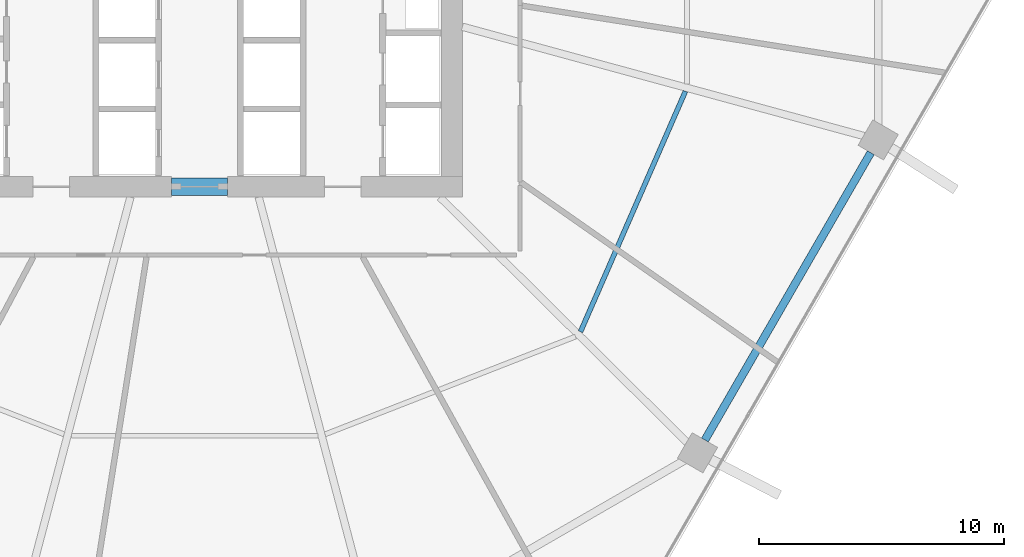
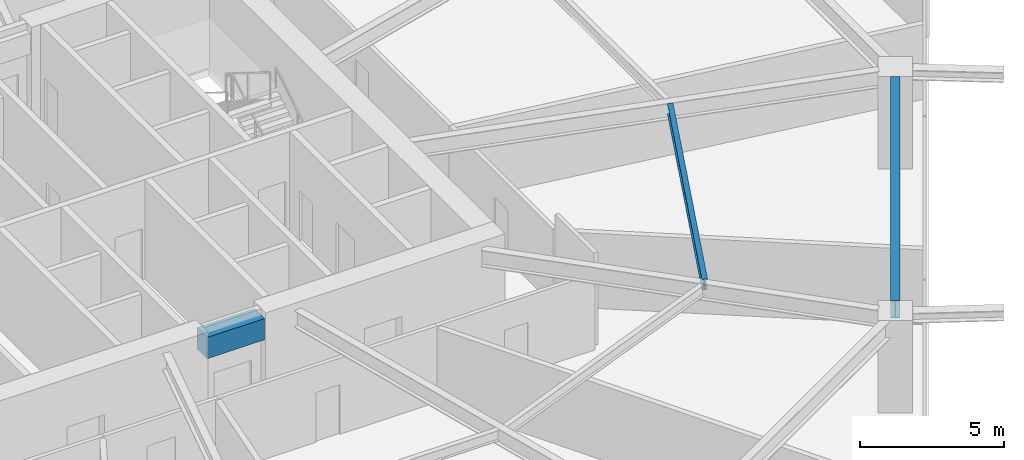
# One storey, part 10 of 26: 3 beams.
"""IFC4 building model written with IfcOpenShell, lengths in metres."""

from ifc_helpers import new_model, si_unit, direction, frame, origin, origin_2d, place, context, subcontext, project, spatial, rectangle, i_section, extrude, material, material_profile, profile_set, type_object, element, save


model = new_model("IFC4")

# Units and contexts
model_context = context("Model", 3, precision=1e-05, world=origin(), true_north=direction((0.0, 1.0)))
body_context = subcontext(model_context, "Body", "Model", "MODEL_VIEW")
ifc_project = project(units=[si_unit("LENGTHUNIT", "METRE"), si_unit("AREAUNIT", "SQUARE_METRE"), si_unit("VOLUMEUNIT", "CUBIC_METRE"), si_unit("PLANEANGLEUNIT", "RADIAN"), si_unit("MASSUNIT", "GRAM", prefix="KILO")], contexts=[model_context])

# Site, building, storey
site_placement = place(None, origin())
site = spatial("IfcSite", under=ifc_project, at=site_placement, CompositionType="ELEMENT")
building_placement = place(site_placement, origin())
building = spatial("IfcBuilding", under=site, at=building_placement, Name="Zuhravey Tower", CompositionType="ELEMENT")
storey_placement = place(building_placement, frame((0.0, 0.0, 28.800048828125)))
storey = spatial("IfcBuildingStorey", under=building, at=storey_placement, Name="L07", CompositionType="ELEMENT", Elevation=28.800048828125)

# Beams
ifc_material_1 = material(Name="Concrete C60/75", Category="concrete")
ifc_material_profile_1 = material_profile(ifc_material_1, rectangle(XDim=0.699951171875, YDim=0.89990234375, at=origin_2d()), Name="RC-700x900")
ifc_profile_set_1 = profile_set([ifc_material_profile_1], Name="Concrete C60/75")
beam_type_1 = type_object("IfcBeamType", Name="Core Coupling Beam RC700x900", PredefinedType="LINTEL", material=ifc_profile_set_1)
beam_1_placement = place(storey_placement, frame((35.052001953125, 22.5, 3.469970703125), z_axis=(1.0, 0.0, 0.0), x_axis=(0.0, 1.0, 0.0)))
element("IfcBeam", 1, at=beam_1_placement, inside=storey, type_object=beam_type_1, Name="L07 CB1 BM-L07-CB-S", PredefinedType="LINTEL", context=body_context, shape_type="SweptSolid", body=[
    extrude(rectangle(XDim=0.699951171875, YDim=0.89990234375, at=origin_2d()), origin(), (0.0, 0.0, 1.0), 2.2958984375),
])
ifc_material_2 = material(Name="Steel SM355", Category="steel")
ifc_material_profile_2 = material_profile(ifc_material_2, i_section(OverallWidth=0.320068359375, OverallDepth=0.75, WebThickness=0.013916015625, FlangeThickness=0.02490234375, at=origin_2d()), Name="H-750x320x14x25")
ifc_profile_set_2 = profile_set([ifc_material_profile_2], Name="Steel SM355")
beam_type_2 = type_object("IfcBeamType", Name="Perimeter Ring Beam H750x320", PredefinedType="BEAM", material=ifc_profile_set_2)
beam_2_placement = place(storey_placement, frame((56.820556640625, 12.165283203125, 3.544921875), z_axis=(0.499999877243, 0.866025474658, 0.0), x_axis=(-0.866025474658, 0.499999877243, 0.0)))
element("IfcBeam", 2, at=beam_2_placement, inside=storey, type_object=beam_type_2, Name="L07 PB1 BM-L07-PB-11", PredefinedType="BEAM", context=body_context, shape_type="SweptSolid", body=[
    extrude(i_section(OverallWidth=0.320068359375, OverallDepth=0.75, WebThickness=0.013916015625, FlangeThickness=0.02490234375, at=origin_2d()), origin(), (0.0, 0.0, 1.0), 13.5341796875),
])
ifc_material_profile_3 = material_profile(ifc_material_2, i_section(OverallWidth=0.199951171875, OverallDepth=0.449951171875, WebThickness=0.009033203125, FlangeThickness=0.013916015625, at=origin_2d()), Name="H-450x200x9x14")
ifc_profile_set_3 = profile_set([ifc_material_profile_3], Name="Steel SM355")
beam_type_3 = type_object("IfcBeamType", Name="Secondary Floor Joist H450x200", PredefinedType="JOIST", material=ifc_profile_set_3)
beam_3_placement = place(storey_placement, frame((51.7451171875, 16.58154296875, 3.695068359375), z_axis=(0.399923551578, 0.916548500022, 0.0), x_axis=(-0.916548500022, 0.399923551578, 0.0)))
element("IfcBeam", 3, at=beam_3_placement, inside=storey, type_object=beam_type_3, Name="L07 SJ1 BM-L07-SJ-11-1", PredefinedType="JOIST", context=body_context, shape_type="SweptSolid", body=[
    extrude(i_section(OverallWidth=0.199951171875, OverallDepth=0.449951171875, WebThickness=0.009033203125, FlangeThickness=0.013916015625, at=origin_2d()), origin(), (0.0, 0.0, 1.0), 10.70263671875),
])

save(model, "model.ifc")
